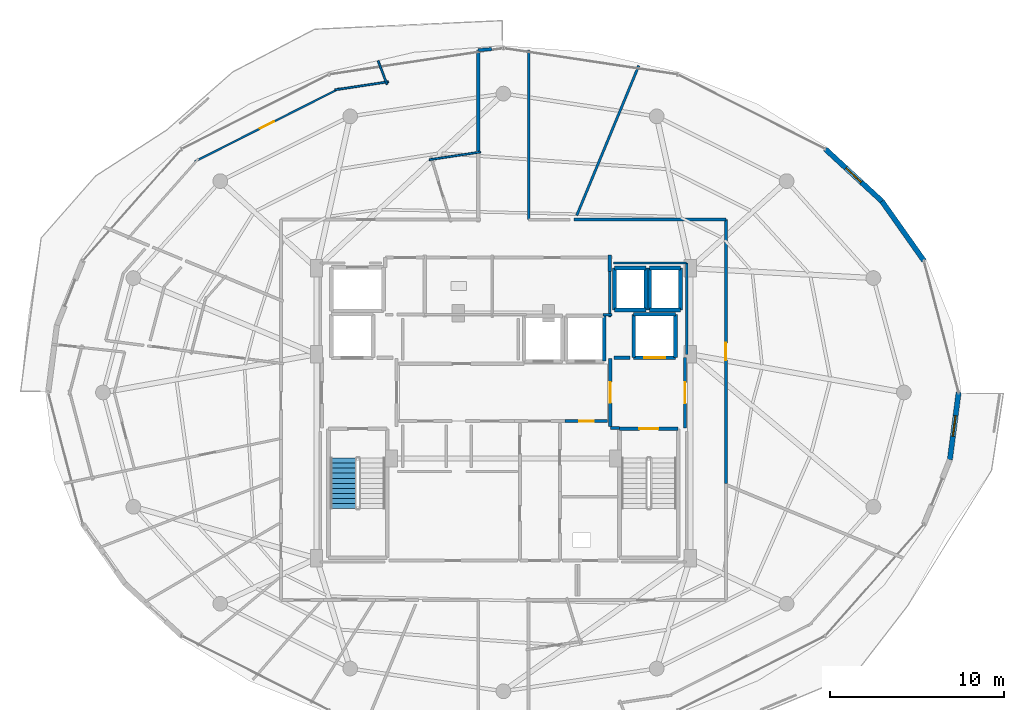
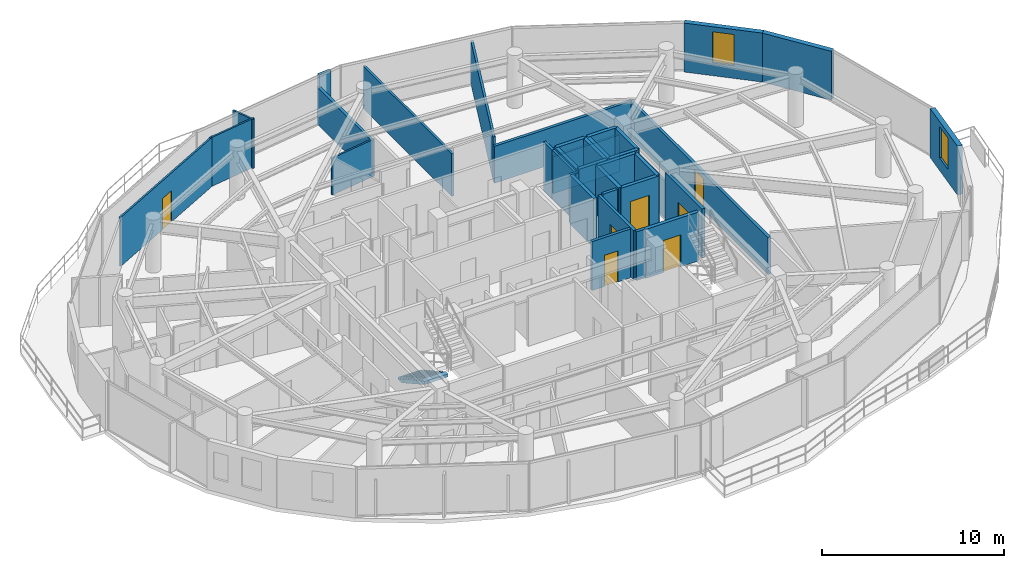
# One storey, part 25 of 30: 37 walls, 7 doors, 2 windows, 1 stair flight, 9 openings, 1 element without a shape of its own.
"""IFC4 building model written with IfcOpenShell, lengths in metres."""

from ifc_helpers import new_model, si_unit, direction, frame, frame_2d, origin, place, context, subcontext, project, spatial, polyline, rectangle, outline, extrude, material, layer, layer_set, type_object, element, fill, aggregate, save


model = new_model("IFC4")

# Units and contexts
model_context = context("Model", 3, precision=1e-05, world=origin(), true_north=direction((0.0, 1.0)))
body_context = subcontext(model_context, "Body", "Model", "MODEL_VIEW")
ifc_project = project(units=[si_unit("LENGTHUNIT", "METRE"), si_unit("AREAUNIT", "SQUARE_METRE"), si_unit("VOLUMEUNIT", "CUBIC_METRE"), si_unit("PLANEANGLEUNIT", "RADIAN"), si_unit("MASSUNIT", "GRAM", prefix="KILO")], contexts=[model_context])

# Site, building, storey
site_placement = place(None, origin())
site = spatial("IfcSite", under=ifc_project, at=site_placement, CompositionType="ELEMENT")
building_placement = place(site_placement, origin())
building = spatial("IfcBuilding", under=site, at=building_placement, Name="Vorneva Point Tower", CompositionType="ELEMENT")
storey_placement = place(building_placement, frame((0.0, 0.0, 241.35009765625)))
storey = spatial("IfcBuildingStorey", under=building, at=storey_placement, Name="L65", CompositionType="ELEMENT", Elevation=241.35009765625)

# Wall, opening, door
ifc_material_1 = material(Name="Concrete B60 (C50/60)", Category="concrete")
ifc_layer_1 = layer(ifc_material_1, 0.35009765625)
ifc_layer_set_1 = layer_set([ifc_layer_1], Name="Concrete B60 (C50/60)")
wall_type_1 = type_object("IfcWallType", Name="WL-CORE-350", PredefinedType="SHEAR", material=ifc_layer_set_1)
wall_1_placement = place(storey_placement, frame((45.5, 28.0, 0.0), z_axis=(0.0, 0.0, 1.0), x_axis=(1.0, 0.0, 0.0)))
wall_1 = element("IfcWall", 1, at=wall_1_placement, inside=storey, type_object=wall_type_1, Name="L65 Lift FFL2 Shaft Wall -Y", PredefinedType="SHEAR", context=body_context, shape_type="SweptSolid", body=[
    extrude(rectangle(XDim=2.39990234375, YDim=0.219970703125, at=frame_2d((1.199951171875, 0.0))), origin(), (0.0, 0.0, 1.0), 3.289794921875),
])
opening_1_placement = place(wall_1_placement, frame((0.60009765625, 0.0, 0.0)))
opening_1 = element("IfcOpeningElement", 2, at=opening_1_placement, cuts=wall_1, Name="Opening LD-02", PredefinedType="OPENING", context=body_context, shape_type="SweptSolid", body=[
    extrude(rectangle(XDim=1.199951171875, YDim=2.199951171875, at=frame_2d((0.60009765625, 1.10009765625))), frame((0.0, 0.125, 0.0), z_axis=(0.0, -1.0, 0.0), x_axis=(1.0, 0.0, 0.0)), (0.0, 0.0, 1.0), 0.249755859375),
])
ifc_material_2 = material(Name="Brushed stainless steel S304", Category="steel")
door_type_1 = type_object("IfcDoorType", Name="LD-FIRE-1200", OperationType="SLIDING_TO_LEFT", PredefinedType="DOOR", material=ifc_material_2)
door_1_placement = place(opening_1_placement, origin())
door_1 = element("IfcDoor", 3, at=door_1_placement, inside=storey, type_object=door_type_1, Name="L65 Lift FFL2 Sliding Landing Door", OperationType="SLIDING_TO_LEFT", OverallHeight=2.199951171875, OverallWidth=1.199951171875, PredefinedType="DOOR", context=body_context, shape_type="SweptSolid", body=[
    extrude(rectangle(XDim=1.199951171875, YDim=2.199951171875, at=frame_2d((0.60009765625, 1.10009765625))), frame((0.0, 0.02490234375, 0.0), z_axis=(0.0, -1.0, 0.0), x_axis=(1.0, 0.0, 0.0)), (0.0, 0.0, 1.0), 0.050048828125),
])
fill(opening_1, door_1)

# Walls
wall_2_placement = place(storey_placement, frame((47.89990234375, 28.0, 0.0), z_axis=(0.0, 0.0, 1.0), x_axis=(0.0, 1.0, 0.0)))
element("IfcWall", 4, at=wall_2_placement, inside=storey, type_object=wall_type_1, Name="L65 Lift FFL2 Shaft Wall +X", PredefinedType="SHEAR", context=body_context, shape_type="SweptSolid", body=[
    extrude(rectangle(XDim=2.5, YDim=0.219970703125, at=frame_2d((1.25, 0.0))), origin(), (0.0, 0.0, 1.0), 3.289794921875),
])
wall_3_placement = place(storey_placement, frame((47.89990234375, 30.5, 0.0), z_axis=(0.0, 0.0, 1.0), x_axis=(-1.0, 0.0, 0.0)))
element("IfcWall", 5, at=wall_3_placement, inside=storey, type_object=wall_type_1, Name="L65 Lift FFL2 Shaft Wall +Y", PredefinedType="SHEAR", context=body_context, shape_type="SweptSolid", body=[
    extrude(rectangle(XDim=2.39990234375, YDim=0.219970703125, at=frame_2d((1.199951171875, 0.0))), origin(), (0.0, 0.0, 1.0), 3.289794921875),
])
wall_4_placement = place(storey_placement, frame((45.5, 30.5, 0.0), z_axis=(0.0, 0.0, 1.0), x_axis=(0.0, -1.0, 0.0)))
element("IfcWall", 6, at=wall_4_placement, inside=storey, type_object=wall_type_1, Name="L65 Lift FFL2 Shaft Wall -X", PredefinedType="SHEAR", context=body_context, shape_type="SweptSolid", body=[
    extrude(rectangle(XDim=2.5, YDim=0.219970703125, at=frame_2d((1.25, 0.0))), origin(), (0.0, 0.0, 1.0), 3.289794921875),
])
ifc_material_3 = material(Name="Precast concrete B50 (C40/50)", Category="concrete")
ifc_layer_2 = layer(ifc_material_3, 0.300048828125)
ifc_layer_set_2 = layer_set([ifc_layer_2], Name="Precast concrete B50 (C40/50)")
wall_type_2 = type_object("IfcWallType", Name="WL-EXT-300", PredefinedType="STANDARD", material=ifc_layer_set_2)
wall_5_placement = place(storey_placement, frame((62.20556640625, 33.5810546875, 0.0), z_axis=(0.0, 0.0, 1.0), x_axis=(-0.577261247247, 0.816559521668, 0.0)))
element("IfcWall", 7, at=wall_5_placement, inside=storey, type_object=wall_type_2, Name="L65 Pale-Metal Facade Spandrel Wall 02.1", PredefinedType="STANDARD", context=body_context, shape_type="SweptSolid", body=[
    extrude(rectangle(XDim=4.194091796875, YDim=0.300048828125, at=frame_2d((2.09716796875, 0.0))), origin(), (0.0, 0.0, 1.0), 3.289794921875),
])

# Wall, opening, window
wall_6_placement = place(storey_placement, frame((59.784423828125, 37.005859375, 0.0), z_axis=(0.0, 0.0, 1.0), x_axis=(-0.735445373611, 0.677584018727, 0.0)))
wall_6 = element("IfcWall", 8, at=wall_6_placement, inside=storey, type_object=wall_type_2, Name="L65 Pale-Metal Facade Spandrel Wall 02.2", PredefinedType="STANDARD", context=body_context, shape_type="SweptSolid", body=[
    extrude(rectangle(XDim=4.430419921875, YDim=0.300048828125, at=frame_2d((2.21533203125, 0.0))), origin(), (0.0, 0.0, 1.0), 3.289794921875),
])
opening_2_placement = place(wall_6_placement, frame((1.615234375, 0.0, 0.85009765625)))
opening_2 = element("IfcOpeningElement", 9, at=opening_2_placement, cuts=wall_6, Name="Opening W-04", PredefinedType="OPENING", context=body_context, shape_type="SweptSolid", body=[
    extrude(rectangle(XDim=1.199951171875, YDim=2.10009765625, at=frame_2d((0.60009765625, 1.050048828125))), frame((0.0, 0.1650390625, 0.0), z_axis=(0.0, -1.0, 0.0), x_axis=(1.0, 0.0, 0.0)), (0.0, 0.0, 1.0), 0.329833984375),
])
ifc_material_4 = material(Name="Double low-e laminated glass IGU", Category="glass")
window_type = type_object("IfcWindowType", Name="WN-RES-1200", PartitioningType="SINGLE_PANEL", PredefinedType="WINDOW", material=ifc_material_4)
window_1_placement = place(opening_2_placement, origin())
window_1 = element("IfcWindow", 10, at=window_1_placement, inside=storey, type_object=window_type, Name="L65 Facade Window 02", OverallHeight=2.10009765625, OverallWidth=1.199951171875, PartitioningType="SINGLE_PANEL", PredefinedType="WINDOW", context=body_context, shape_type="SweptSolid", body=[
    extrude(rectangle(XDim=1.199951171875, YDim=2.10009765625, at=frame_2d((0.60009765625, 1.050048828125))), frame((0.0, 0.030029296875, 0.0), z_axis=(0.0, -1.0, 0.0), x_axis=(1.0, 0.0, 0.0)), (0.0, 0.0, 1.0), 0.06005859375),
])
fill(opening_2, window_1)

wall_7_placement = place(storey_placement, frame((63.696533203125, 22.13525390625, 0.0), z_axis=(0.0, 0.0, 1.0), x_axis=(0.129167789917, 0.991622751881, 0.0)))
wall_7 = element("IfcWall", 11, at=wall_7_placement, inside=storey, type_object=wall_type_2, Name="L65 Pale-Metal Facade Spandrel Wall 16.2", PredefinedType="STANDARD", context=body_context, shape_type="SweptSolid", body=[
    extrude(rectangle(XDim=3.8974609375, YDim=0.300048828125, at=frame_2d((1.94873046875, 0.0))), origin(), (0.0, 0.0, 1.0), 3.289794921875),
])
opening_3_placement = place(wall_7_placement, frame((1.3486328125, 0.0, 0.85009765625)))
opening_3 = element("IfcOpeningElement", 12, at=opening_3_placement, cuts=wall_7, Name="Opening W-04", PredefinedType="OPENING", context=body_context, shape_type="SweptSolid", body=[
    extrude(rectangle(XDim=1.199951171875, YDim=2.10009765625, at=frame_2d((0.60009765625, 1.050048828125))), frame((0.0, 0.1650390625, 0.0), z_axis=(0.0, -1.0, 0.0), x_axis=(1.0, 0.0, 0.0)), (0.0, 0.0, 1.0), 0.329833984375),
])
window_2_placement = place(opening_3_placement, origin())
window_2 = element("IfcWindow", 13, at=window_2_placement, inside=storey, type_object=window_type, Name="L65 Facade Window 16", OverallHeight=2.10009765625, OverallWidth=1.199951171875, PartitioningType="SINGLE_PANEL", PredefinedType="WINDOW", context=body_context, shape_type="SweptSolid", body=[
    extrude(rectangle(XDim=1.199951171875, YDim=2.10009765625, at=frame_2d((0.60009765625, 1.050048828125))), frame((0.0, 0.030029296875, 0.0), z_axis=(0.0, -1.0, 0.0), x_axis=(1.0, 0.0, 0.0)), (0.0, 0.0, 1.0), 0.06005859375),
])
fill(opening_3, window_2)

# Walls
ifc_material_5 = material(Name="Fire-rated acoustic gypsum stud partition", Category="gypsum")
ifc_layer_3 = layer(ifc_material_5, 0.110107421875)
ifc_layer_set_3 = layer_set([ifc_layer_3], Name="Fire-rated acoustic gypsum stud partition")
wall_type_3 = type_object("IfcWallType", Name="WL-PART-110", PredefinedType="PARTITIONING", material=ifc_layer_set_3)
wall_8_placement = place(storey_placement, frame((33.734619140625, 39.394287109375, 0.0), z_axis=(0.0, 0.0, 1.0), x_axis=(0.988862493006, 0.148832019156, 0.0)))
element("IfcWall", 14, at=wall_8_placement, inside=storey, type_object=wall_type_3, Name="L65 Interior Partition 055", PredefinedType="PARTITIONING", context=body_context, shape_type="SweptSolid", body=[
    extrude(rectangle(XDim=2.987060546875, YDim=0.110107421875, at=frame_2d((1.49365234375, 0.0))), origin(), (0.0, 0.0, 1.0), 2.48193359375),
])
wall_9_placement = place(storey_placement, frame((31.389404296875, 43.8818359375, 0.0), z_axis=(0.0, 0.0, 1.0), x_axis=(-0.988858596585, -0.148857905265, 0.0)))
element("IfcWall", 15, at=wall_9_placement, inside=storey, type_object=wall_type_3, Name="L65 Interior Partition 056", PredefinedType="PARTITIONING", context=body_context, shape_type="SweptSolid", body=[
    extrude(rectangle(XDim=3.114501953125, YDim=0.110107421875, at=frame_2d((1.55712890625, 0.0))), origin(), (0.0, 0.0, 1.0), 3.289794921875),
])

# Wall, opening, door
wall_10_placement = place(storey_placement, frame((28.572998046875, 43.502197265625, 0.0), z_axis=(0.0, 0.0, 1.0), x_axis=(-0.892502876412, -0.451041700507, 0.0)))
wall_10 = element("IfcWall", 16, at=wall_10_placement, inside=storey, type_object=wall_type_3, Name="L65 Interior Partition 057", PredefinedType="PARTITIONING", context=body_context, shape_type="SweptSolid", body=[
    extrude(rectangle(XDim=9.352294921875, YDim=0.110107421875, at=frame_2d((4.67626953125, 0.0))), origin(), (0.0, 0.0, 1.0), 3.289794921875),
])
opening_4_placement = place(wall_10_placement, frame((4.226318359375, 0.0, 0.0)))
opening_4 = element("IfcOpeningElement", 17, at=opening_4_placement, cuts=wall_10, Name="Opening ID-01", PredefinedType="OPENING", context=body_context, shape_type="SweptSolid", body=[
    extrude(rectangle(XDim=0.89990234375, YDim=2.10009765625, at=frame_2d((0.449951171875, 1.050048828125))), frame((0.0, 0.06982421875, 0.0), z_axis=(0.0, -1.0, 0.0), x_axis=(1.0, 0.0, 0.0)), (0.0, 0.0, 1.0), 0.139892578125),
])
ifc_material_6 = material(Name="Engineered oak fire-rated door leaf", Category="wood")
door_type_2 = type_object("IfcDoorType", Name="DR-ROOM-900", OperationType="NOTDEFINED", PredefinedType="DOOR", material=ifc_material_6)
door_2_placement = place(opening_4_placement, origin())
door_2 = element("IfcDoor", 18, at=door_2_placement, inside=storey, type_object=door_type_2, Name="L65 Door Studio Apartment L65-01 / Kitchen L65-01", OperationType="SINGLE_SWING_RIGHT", OverallHeight=2.10009765625, OverallWidth=0.89990234375, PredefinedType="DOOR", context=body_context, shape_type="SweptSolid", body=[
    extrude(rectangle(XDim=0.89990234375, YDim=2.10009765625, at=frame_2d((0.449951171875, 1.050048828125))), frame((0.0, 0.02490234375, 0.0), z_axis=(0.0, -1.0, 0.0), x_axis=(1.0, 0.0, 0.0)), (0.0, 0.0, 1.0), 0.050048828125),
])
fill(opening_4, door_2)

# Walls
wall_11_placement = place(storey_placement, frame((30.78662109375, 45.0888671875, 0.0), z_axis=(0.0, 0.0, 1.0), x_axis=(0.353737146492, -0.935344872863, 0.0)))
element("IfcWall", 19, at=wall_11_placement, inside=storey, type_object=wall_type_3, Name="L65 Interior Partition 059", PredefinedType="PARTITIONING", context=body_context, shape_type="SweptSolid", body=[
    extrude(rectangle(XDim=1.452880859375, YDim=0.110107421875, at=frame_2d((0.7265625, 0.0))), origin(), (0.0, 0.0, 1.0), 3.289794921875),
])
ifc_layer_4 = layer(ifc_material_5, 0.139892578125)
ifc_layer_set_4 = layer_set([ifc_layer_4], Name="Fire-rated acoustic gypsum stud partition")
wall_type_4 = type_object("IfcWallType", Name="WL-PART-140", PredefinedType="PARTITIONING", material=ifc_layer_set_4)
wall_12_placement = place(storey_placement, frame((43.735107421875, 30.47998046875, 0.0), z_axis=(0.0, 0.0, 1.0), x_axis=(1.0, 0.0, 0.0)))
element("IfcWall", 20, at=wall_12_placement, inside=storey, type_object=wall_type_4, Name="L65 Interior Closure Partition 094", PredefinedType="PARTITIONING", context=body_context, shape_type="SweptSolid", body=[
    extrude(rectangle(XDim=0.52490234375, YDim=0.139892578125, at=frame_2d((0.262451171875, 0.0))), origin(), (0.0, 0.0, 1.0), 3.289794921875),
])
wall_13_placement = place(storey_placement, frame((44.1201171875, 30.340087890625, 0.0), z_axis=(0.0, 0.0, 1.0), x_axis=(0.0, 1.0, 0.0)))
element("IfcWall", 21, at=wall_13_placement, inside=storey, type_object=wall_type_4, Name="L65 Interior Closure Partition 095", PredefinedType="PARTITIONING", context=body_context, shape_type="SweptSolid", body=[
    extrude(rectangle(XDim=2.659912109375, YDim=0.139892578125, at=frame_2d((1.330078125, 0.0))), origin(), (0.0, 0.0, 1.0), 3.289794921875),
])
wall_14_placement = place(storey_placement, frame((39.449951171875, 35.949951171875, 0.0), z_axis=(0.0, 0.0, 1.0), x_axis=(0.0, 1.0, 0.0)))
element("IfcWall", 22, at=wall_14_placement, inside=storey, type_object=wall_type_4, Name="L65 Interior Closure Partition 104", PredefinedType="PARTITIONING", context=body_context, shape_type="SweptSolid", body=[
    extrude(rectangle(XDim=9.7509765625, YDim=0.139892578125, at=frame_2d((4.87548828125, 0.0))), origin(), (0.0, 0.0, 1.0), 2.8740234375),
])
wall_15_placement = place(storey_placement, frame((48.550048828125, 28.196044921875, 0.0), z_axis=(0.0, 0.0, 1.0), x_axis=(0.0, 1.0, 0.0)))
element("IfcWall", 23, at=wall_15_placement, inside=storey, type_object=wall_type_4, Name="L65 Interior Closure Partition 108", PredefinedType="PARTITIONING", context=body_context, shape_type="SweptSolid", body=[
    extrude(rectangle(XDim=5.25390625, YDim=0.139892578125, at=frame_2d((2.626953125, 0.0))), origin(), (0.0, 0.0, 1.0), 2.48193359375),
])
wall_16_placement = place(storey_placement, frame((48.550048828125, 33.449951171875, 0.0), z_axis=(0.0, 0.0, 1.0), x_axis=(-1.0, 0.0, 0.0)))
element("IfcWall", 24, at=wall_16_placement, inside=storey, type_object=wall_type_4, Name="L65 Interior Closure Partition 109", PredefinedType="PARTITIONING", context=body_context, shape_type="SweptSolid", body=[
    extrude(rectangle(XDim=4.2099609375, YDim=0.139892578125, at=frame_2d((2.10498046875, 0.0))), origin(), (0.0, 0.0, 1.0), 2.48193359375),
])
wall_17_placement = place(storey_placement, frame((45.79296875, 44.81298828125, 0.0), z_axis=(0.0, 0.0, 1.0), x_axis=(-0.382742241568, -0.923855170749, 0.0)))
element("IfcWall", 25, at=wall_17_placement, inside=storey, type_object=wall_type_4, Name="L65 Interior Closure Partition 123", PredefinedType="PARTITIONING", context=body_context, shape_type="SweptSolid", body=[
    extrude(rectangle(XDim=9.332763671875, YDim=0.139892578125, at=frame_2d((4.66650390625, 0.0))), origin(), (0.0, 0.0, 1.0), 2.8740234375),
])

# Wall, opening, door
ifc_material_7 = material(Name="Autoclaved aerated concrete blockwork", Category="masonry")
ifc_layer_5 = layer(ifc_material_7, 0.179931640625)
ifc_layer_set_5 = layer_set([ifc_layer_5], Name="Autoclaved aerated concrete blockwork")
wall_type_5 = type_object("IfcWallType", Name="WL-PART-180", PredefinedType="PARTITIONING", material=ifc_layer_set_5)
wall_18_placement = place(storey_placement, frame((44.14990234375, 27.955078125, 0.0), z_axis=(0.0, 0.0, 1.0), x_axis=(0.0, -1.0, 0.0)))
wall_18 = element("IfcWall", 26, at=wall_18_placement, inside=storey, type_object=wall_type_5, Name="L65 Interior Partition 003", PredefinedType="PARTITIONING", context=body_context, shape_type="SweptSolid", body=[
    extrude(rectangle(XDim=3.91015625, YDim=0.179931640625, at=frame_2d((1.955078125, 0.0))), origin(), (0.0, 0.0, 1.0), 3.289794921875),
])
opening_5_placement = place(wall_18_placement, frame((1.35498046875, 0.0, 0.0)))
opening_5 = element("IfcOpeningElement", 27, at=opening_5_placement, cuts=wall_18, Name="Opening FD-02", PredefinedType="OPENING", context=body_context, shape_type="SweptSolid", body=[
    extrude(rectangle(XDim=1.199951171875, YDim=2.14990234375, at=frame_2d((0.60009765625, 1.074951171875))), frame((0.0, 0.10498046875, 0.0), z_axis=(0.0, -1.0, 0.0), x_axis=(1.0, 0.0, 0.0)), (0.0, 0.0, 1.0), 0.209716796875),
])
ifc_material_8 = material(Name="Fire-rated powder-coated steel", Category="steel")
door_type_3 = type_object("IfcDoorType", Name="DR-FFL-1200", OperationType="NOTDEFINED", PredefinedType="DOOR", material=ifc_material_8)
door_3_placement = place(opening_5_placement, origin())
door_3 = element("IfcDoor", 28, at=door_3_placement, inside=storey, type_object=door_type_3, Name="L65 Door East Firefighting Lobby / Central Lift Lobby", OperationType="SINGLE_SWING_RIGHT", OverallHeight=2.14990234375, OverallWidth=1.199951171875, PredefinedType="DOOR", context=body_context, shape_type="SweptSolid", body=[
    extrude(rectangle(XDim=1.199951171875, YDim=2.14990234375, at=frame_2d((0.60009765625, 1.074951171875))), frame((0.0, 0.02490234375, 0.0), z_axis=(0.0, -1.0, 0.0), x_axis=(1.0, 0.0, 0.0)), (0.0, 0.0, 1.0), 0.050048828125),
])
fill(opening_5, door_3)

# Wall
wall_19_placement = place(storey_placement, frame((44.14990234375, 23.949951171875, 0.0), z_axis=(0.0, 0.0, 1.0), x_axis=(1.0, 0.0, 0.0)))
element("IfcWall", 29, at=wall_19_placement, inside=storey, type_object=wall_type_5, Name="L65 Interior Partition 004", PredefinedType="PARTITIONING", context=body_context, shape_type="SweptSolid", body=[
    extrude(rectangle(XDim=0.5400390625, YDim=0.179931640625, at=frame_2d((0.27001953125, 0.0))), origin(), (0.0, 0.0, 1.0), 3.289794921875),
])

# Wall, opening, door
wall_20_placement = place(storey_placement, frame((48.449951171875, 23.949951171875, 0.0), z_axis=(0.0, 0.0, 1.0), x_axis=(0.0, 1.0, 0.0)))
wall_20 = element("IfcWall", 30, at=wall_20_placement, inside=storey, type_object=wall_type_5, Name="L65 Interior Partition 005", PredefinedType="PARTITIONING", context=body_context, shape_type="SweptSolid", body=[
    extrude(rectangle(XDim=4.050048828125, YDim=0.179931640625, at=frame_2d((2.02490234375, 0.0))), origin(), (0.0, 0.0, 1.0), 3.289794921875),
])
opening_6_placement = place(wall_20_placement, frame((1.425048828125, 0.0, 0.0)))
opening_6 = element("IfcOpeningElement", 31, at=opening_6_placement, cuts=wall_20, Name="Opening FD-02", PredefinedType="OPENING", context=body_context, shape_type="SweptSolid", body=[
    extrude(rectangle(XDim=1.199951171875, YDim=2.14990234375, at=frame_2d((0.60009765625, 1.074951171875))), frame((0.0, 0.10498046875, 0.0), z_axis=(0.0, -1.0, 0.0), x_axis=(1.0, 0.0, 0.0)), (0.0, 0.0, 1.0), 0.209716796875),
])
door_4_placement = place(opening_6_placement, origin())
door_4 = element("IfcDoor", 32, at=door_4_placement, inside=storey, type_object=door_type_3, Name="L65 Door East Firefighting Lobby / L65 Circulation Corridor", OperationType="SINGLE_SWING_LEFT", OverallHeight=2.14990234375, OverallWidth=1.199951171875, PredefinedType="DOOR", context=body_context, shape_type="SweptSolid", body=[
    extrude(rectangle(XDim=1.199951171875, YDim=2.14990234375, at=frame_2d((0.60009765625, 1.074951171875))), frame((0.0, 0.02490234375, 0.0), z_axis=(0.0, -1.0, 0.0), x_axis=(1.0, 0.0, 0.0)), (0.0, 0.0, 1.0), 0.050048828125),
])
fill(opening_6, door_4)

wall_21_placement = place(storey_placement, frame((41.554931640625, 24.35009765625, 0.0), z_axis=(0.0, 0.0, 1.0), x_axis=(1.0, 0.0, 0.0)))
wall_21 = element("IfcWall", 33, at=wall_21_placement, inside=storey, type_object=wall_type_5, Name="L65 Interior Partition 011", PredefinedType="PARTITIONING", context=body_context, shape_type="SweptSolid", body=[
    extrude(rectangle(XDim=2.445068359375, YDim=0.179931640625, at=frame_2d((1.22265625, 0.0))), origin(), (0.0, 0.0, 1.0), 3.289794921875),
])
opening_7_placement = place(wall_21_placement, frame((0.797607421875, 0.0, 0.0)))
opening_7 = element("IfcOpeningElement", 34, at=opening_7_placement, cuts=wall_21, Name="Opening ID-02", PredefinedType="OPENING", context=body_context, shape_type="SweptSolid", body=[
    extrude(rectangle(XDim=0.85009765625, YDim=2.10009765625, at=frame_2d((0.425048828125, 1.050048828125))), frame((0.0, 0.10498046875, 0.0), z_axis=(0.0, -1.0, 0.0), x_axis=(1.0, 0.0, 0.0)), (0.0, 0.0, 1.0), 0.209716796875),
])
door_type_4 = type_object("IfcDoorType", Name="DR-BATH-850", OperationType="NOTDEFINED", PredefinedType="DOOR", material=ifc_material_6)
door_5_placement = place(opening_7_placement, origin())
door_5 = element("IfcDoor", 35, at=door_5_placement, inside=storey, type_object=door_type_4, Name="L65 Door Central Lift Lobby / Cleaners Store", OperationType="SINGLE_SWING_RIGHT", OverallHeight=2.10009765625, OverallWidth=0.85009765625, PredefinedType="DOOR", context=body_context, shape_type="SweptSolid", body=[
    extrude(rectangle(XDim=0.85009765625, YDim=2.10009765625, at=frame_2d((0.425048828125, 1.050048828125))), frame((0.0, 0.02490234375, 0.0), z_axis=(0.0, -1.0, 0.0), x_axis=(1.0, 0.0, 0.0)), (0.0, 0.0, 1.0), 0.050048828125),
])
fill(opening_7, door_5)

# Walls
wall_22_placement = place(storey_placement, frame((44.1201171875, 32.969970703125, 0.0), z_axis=(0.0, 0.0, 1.0), x_axis=(0.0, 1.0, 0.0)))
element("IfcWall", 36, at=wall_22_placement, inside=storey, type_object=wall_type_5, Name="L65 Interior Partition 027", PredefinedType="PARTITIONING", context=body_context, shape_type="SweptSolid", body=[
    extrude(rectangle(XDim=0.929931640625, YDim=0.179931640625, at=frame_2d((0.46484375, 0.0))), origin(), (0.0, 0.0, 1.0), 3.289794921875),
])
wall_23_placement = place(storey_placement, frame((37.3291015625, 45.760009765625, 0.0), z_axis=(0.0, 0.0, 1.0), x_axis=(-0.997136622012, -0.0756211415, 0.0)))
element("IfcWall", 37, at=wall_23_placement, inside=storey, type_object=wall_type_5, Name="L65 Interior Partition 031", PredefinedType="PARTITIONING", context=body_context, shape_type="SweptSolid", body=[
    extrude(rectangle(XDim=0.78125, YDim=0.179931640625, at=frame_2d((0.390625, 0.0))), origin(), (0.0, 0.0, 1.0), 3.289794921875),
])
wall_24_placement = place(storey_placement, frame((36.550048828125, 45.700927734375, 0.0), z_axis=(0.0, 0.0, 1.0), x_axis=(0.0, -1.0, 0.0)))
element("IfcWall", 38, at=wall_24_placement, inside=storey, type_object=wall_type_5, Name="L65 Interior Partition 032", PredefinedType="PARTITIONING", context=body_context, shape_type="SweptSolid", body=[
    extrude(rectangle(XDim=5.94384765625, YDim=0.179931640625, at=frame_2d((2.971923828125, 0.0))), origin(), (0.0, 0.0, 1.0), 2.48193359375),
])

# Wall, opening, door
wall_25_placement = place(storey_placement, frame((50.800048828125, 20.758056640625, 0.0), z_axis=(0.0, 0.0, 1.0), x_axis=(0.0, 1.0, 0.0)))
wall_25 = element("IfcWall", 39, at=wall_25_placement, inside=storey, type_object=wall_type_5, Name="L65 Interior Partition 052", PredefinedType="PARTITIONING", context=body_context, shape_type="SweptSolid", body=[
    extrude(rectangle(XDim=15.19189453125, YDim=0.179931640625, at=frame_2d((7.595947265625, 0.0))), origin(), (0.0, 0.0, 1.0), 2.48193359375),
])
opening_8_placement = place(wall_25_placement, frame((7.095947265625, 0.0, 0.0)))
opening_8 = element("IfcOpeningElement", 40, at=opening_8_placement, cuts=wall_25, Name="Opening UD-01", PredefinedType="OPENING", context=body_context, shape_type="SweptSolid", body=[
    extrude(rectangle(XDim=1.0, YDim=2.14990234375, at=frame_2d((0.5, 1.074951171875))), frame((0.0, 0.10498046875, 0.0), z_axis=(0.0, -1.0, 0.0), x_axis=(1.0, 0.0, 0.0)), (0.0, 0.0, 1.0), 0.209716796875),
])
door_type_5 = type_object("IfcDoorType", Name="DR-UNIT-1000", OperationType="NOTDEFINED", PredefinedType="DOOR", material=ifc_material_6)
door_6_placement = place(opening_8_placement, origin())
door_6 = element("IfcDoor", 41, at=door_6_placement, inside=storey, type_object=door_type_5, Name="L65 Door L65 Circulation Corridor / Residents Sky Lounge L65-04", OperationType="SINGLE_SWING_RIGHT", OverallHeight=2.14990234375, OverallWidth=1.0, PredefinedType="DOOR", context=body_context, shape_type="SweptSolid", body=[
    extrude(rectangle(XDim=1.0, YDim=2.14990234375, at=frame_2d((0.5, 1.074951171875))), frame((0.0, 0.02490234375, 0.0), z_axis=(0.0, -1.0, 0.0), x_axis=(1.0, 0.0, 0.0)), (0.0, 0.0, 1.0), 0.050048828125),
])
fill(opening_8, door_6)

# Walls
wall_26_placement = place(storey_placement, frame((50.800048828125, 35.949951171875, 0.0), z_axis=(0.0, 0.0, 1.0), x_axis=(-1.0, 0.0, 0.0)))
element("IfcWall", 42, at=wall_26_placement, inside=storey, type_object=wall_type_5, Name="L65 Interior Partition 053", PredefinedType="PARTITIONING", context=body_context, shape_type="SweptSolid", body=[
    extrude(rectangle(XDim=8.739013671875, YDim=0.179931640625, at=frame_2d((4.36962890625, 0.0))), origin(), (0.0, 0.0, 1.0), 2.48193359375),
])
wall_27_placement = place(storey_placement, frame((45.280029296875, 28.0, 0.0), z_axis=(0.0, 0.0, 1.0), x_axis=(-1.0, 0.0, 0.0)))
element("IfcWall", 43, at=wall_27_placement, inside=storey, type_object=wall_type_5, Name="L65 Interior Closure Partition 092", PredefinedType="PARTITIONING", context=body_context, shape_type="SweptSolid", body=[
    extrude(rectangle(XDim=0.9150390625, YDim=0.179931640625, at=frame_2d((0.45751953125, 0.0))), origin(), (0.0, 0.0, 1.0), 3.289794921875),
])

# Wall, opening, door
ifc_material_9 = material(Name="Concrete B50 (C40/50)", Category="concrete")
ifc_layer_6 = layer(ifc_material_9, 0.219970703125)
ifc_layer_set_6 = layer_set([ifc_layer_6], Name="Concrete B50 (C40/50)")
wall_type_6 = type_object("IfcWallType", Name="WL-SHFT-220", PredefinedType="SOLIDWALL", material=ifc_layer_set_6)
wall_28_placement = place(storey_placement, frame((44.68994140625, 23.909912109375, 0.0), z_axis=(0.0, 0.0, 1.0), x_axis=(1.0, 0.0, 0.0)))
wall_28 = element("IfcWall", 44, at=wall_28_placement, inside=storey, type_object=wall_type_6, Name="L65 Exit Stair ST2 Shaft Wall near", PredefinedType="SOLIDWALL", context=body_context, shape_type="SweptSolid", body=[
    extrude(rectangle(XDim=3.3701171875, YDim=0.219970703125, at=frame_2d((1.68505859375, 0.0))), origin(), (0.0, 0.0, 1.0), 3.289794921875),
])
opening_9_placement = place(wall_28_placement, frame((1.135009765625, 0.0, 0.0)))
opening_9 = element("IfcOpeningElement", 45, at=opening_9_placement, cuts=wall_28, Name="Opening FD-01", PredefinedType="OPENING", context=body_context, shape_type="SweptSolid", body=[
    extrude(rectangle(XDim=1.10009765625, YDim=2.14990234375, at=frame_2d((0.550048828125, 1.074951171875))), frame((0.0, 0.125, 0.0), z_axis=(0.0, -1.0, 0.0), x_axis=(1.0, 0.0, 0.0)), (0.0, 0.0, 1.0), 0.249755859375),
])
door_type_6 = type_object("IfcDoorType", Name="DR-STAIR-1100", OperationType="NOTDEFINED", PredefinedType="DOOR", material=ifc_material_8)
door_7_placement = place(opening_9_placement, origin())
door_7 = element("IfcDoor", 46, at=door_7_placement, inside=storey, type_object=door_type_6, Name="L65 Exit Stair ST2 Fire Door", OperationType="SINGLE_SWING_RIGHT", OverallHeight=2.14990234375, OverallWidth=1.10009765625, PredefinedType="DOOR", context=body_context, shape_type="SweptSolid", body=[
    extrude(rectangle(XDim=1.10009765625, YDim=2.14990234375, at=frame_2d((0.550048828125, 1.074951171875))), frame((0.0, 0.02490234375, 0.0), z_axis=(0.0, -1.0, 0.0), x_axis=(1.0, 0.0, 0.0)), (0.0, 0.0, 1.0), 0.050048828125),
])
fill(opening_9, door_7)

# Walls
wall_29_placement = place(storey_placement, frame((43.800048828125, 27.800048828125, 0.0), z_axis=(0.0, 0.0, 1.0), x_axis=(0.0, 1.0, 0.0)))
element("IfcWall", 47, at=wall_29_placement, inside=storey, type_object=wall_type_6, Name="L65 Lift PL8 Shaft Wall +X", PredefinedType="SOLIDWALL", context=body_context, shape_type="SweptSolid", body=[
    extrude(rectangle(XDim=2.599853515625, YDim=0.219970703125, at=frame_2d((1.2998046875, 0.0))), origin(), (0.0, 0.0, 1.0), 3.289794921875),
])
wall_30_placement = place(storey_placement, frame((44.39990234375, 30.739990234375, 0.0), z_axis=(0.0, 0.0, 1.0), x_axis=(1.0, 0.0, 0.0)))
element("IfcWall", 48, at=wall_30_placement, inside=storey, type_object=wall_type_6, Name="L65 Lift EX1 Shaft Wall -Y", PredefinedType="SOLIDWALL", context=body_context, shape_type="SweptSolid", body=[
    extrude(rectangle(XDim=1.800048828125, YDim=0.219970703125, at=frame_2d((0.89990234375, 0.0))), origin(), (0.0, 0.0, 1.0), 3.289794921875),
])
wall_31_placement = place(storey_placement, frame((46.199951171875, 30.739990234375, 0.0), z_axis=(0.0, 0.0, 1.0), x_axis=(0.0, 1.0, 0.0)))
element("IfcWall", 49, at=wall_31_placement, inside=storey, type_object=wall_type_6, Name="L65 Lift EX1 Shaft Wall +X", PredefinedType="SOLIDWALL", context=body_context, shape_type="SweptSolid", body=[
    extrude(rectangle(XDim=2.419921875, YDim=0.219970703125, at=frame_2d((1.2099609375, 0.0))), origin(), (0.0, 0.0, 1.0), 3.289794921875),
])
wall_32_placement = place(storey_placement, frame((46.199951171875, 33.159912109375, 0.0), z_axis=(0.0, 0.0, 1.0), x_axis=(-1.0, 0.0, 0.0)))
element("IfcWall", 50, at=wall_32_placement, inside=storey, type_object=wall_type_6, Name="L65 Lift EX1 Shaft Wall +Y", PredefinedType="SOLIDWALL", context=body_context, shape_type="SweptSolid", body=[
    extrude(rectangle(XDim=1.800048828125, YDim=0.219970703125, at=frame_2d((0.89990234375, 0.0))), origin(), (0.0, 0.0, 1.0), 3.289794921875),
])
wall_33_placement = place(storey_placement, frame((44.39990234375, 33.159912109375, 0.0), z_axis=(0.0, 0.0, 1.0), x_axis=(0.0, -1.0, 0.0)))
element("IfcWall", 51, at=wall_33_placement, inside=storey, type_object=wall_type_6, Name="L65 Lift EX1 Shaft Wall -X", PredefinedType="SOLIDWALL", context=body_context, shape_type="SweptSolid", body=[
    extrude(rectangle(XDim=2.419921875, YDim=0.219970703125, at=frame_2d((1.2099609375, 0.0))), origin(), (0.0, 0.0, 1.0), 3.289794921875),
])
wall_34_placement = place(storey_placement, frame((46.39990234375, 30.739990234375, 0.0), z_axis=(0.0, 0.0, 1.0), x_axis=(1.0, 0.0, 0.0)))
element("IfcWall", 52, at=wall_34_placement, inside=storey, type_object=wall_type_6, Name="L65 Lift EX2 Shaft Wall -Y", PredefinedType="SOLIDWALL", context=body_context, shape_type="SweptSolid", body=[
    extrude(rectangle(XDim=1.800048828125, YDim=0.219970703125, at=frame_2d((0.89990234375, 0.0))), origin(), (0.0, 0.0, 1.0), 3.289794921875),
])
wall_35_placement = place(storey_placement, frame((48.199951171875, 30.739990234375, 0.0), z_axis=(0.0, 0.0, 1.0), x_axis=(0.0, 1.0, 0.0)))
element("IfcWall", 53, at=wall_35_placement, inside=storey, type_object=wall_type_6, Name="L65 Lift EX2 Shaft Wall +X", PredefinedType="SOLIDWALL", context=body_context, shape_type="SweptSolid", body=[
    extrude(rectangle(XDim=2.419921875, YDim=0.219970703125, at=frame_2d((1.2099609375, 0.0))), origin(), (0.0, 0.0, 1.0), 3.289794921875),
])
wall_36_placement = place(storey_placement, frame((48.199951171875, 33.159912109375, 0.0), z_axis=(0.0, 0.0, 1.0), x_axis=(-1.0, 0.0, 0.0)))
element("IfcWall", 54, at=wall_36_placement, inside=storey, type_object=wall_type_6, Name="L65 Lift EX2 Shaft Wall +Y", PredefinedType="SOLIDWALL", context=body_context, shape_type="SweptSolid", body=[
    extrude(rectangle(XDim=1.800048828125, YDim=0.219970703125, at=frame_2d((0.89990234375, 0.0))), origin(), (0.0, 0.0, 1.0), 3.289794921875),
])
wall_37_placement = place(storey_placement, frame((46.39990234375, 33.159912109375, 0.0), z_axis=(0.0, 0.0, 1.0), x_axis=(0.0, -1.0, 0.0)))
element("IfcWall", 55, at=wall_37_placement, inside=storey, type_object=wall_type_6, Name="L65 Lift EX2 Shaft Wall -X", PredefinedType="SOLIDWALL", context=body_context, shape_type="SweptSolid", body=[
    extrude(rectangle(XDim=2.419921875, YDim=0.219970703125, at=frame_2d((1.2099609375, 0.0))), origin(), (0.0, 0.0, 1.0), 3.289794921875),
])

# Stair, stair flight
stair_type = type_object("IfcStairType", Name="ST-DOG-1500", PredefinedType="HALF_TURN_STAIR", material=ifc_material_9)
stair_placement = place(storey_placement, origin())
stair = element("IfcStair", 56, at=stair_placement, inside=storey, type_object=stair_type, Name="L65 ST1", PredefinedType="HALF_TURN_STAIR")
stair_flight_type = type_object("IfcStairFlightType", Name="STF-1500", PredefinedType="STRAIGHT", material=ifc_material_9)
stair_flight_placement = place(storey_placement, frame((28.800048828125, 22.219970703125, 0.0), z_axis=(0.0, 0.0, 1.0), x_axis=(0.0, -1.0, 0.0)))
stair_flight = element("IfcStairFlight", 57, at=stair_flight_placement, type_object=stair_flight_type, Name="ST1 flight 1", NumberOfRisers=11, NumberOfTreads=10, PredefinedType="STRAIGHT", RiserHeight=0.161363636, TreadLength=0.29, context=body_context, shape_type="SweptSolid", body=[
    extrude(outline(polyline([(0.0, 0.0), (0.0, 0.161376953125), (0.2900390625, 0.161376953125), (0.2900390625, 0.32275390625), (0.580078125, 0.32275390625), (0.580078125, 0.484130859375), (0.8701171875, 0.484130859375), (0.8701171875, 0.6455078125), (1.159912109375, 0.6455078125), (1.159912109375, 0.806884765625), (1.449951171875, 0.806884765625), (1.449951171875, 0.96826171875), (1.739990234375, 0.96826171875), (1.739990234375, 1.129638671875), (2.030029296875, 1.129638671875), (2.030029296875, 1.291015625), (2.320068359375, 1.291015625), (2.320068359375, 1.452392578125), (2.610107421875, 1.452392578125), (2.610107421875, 1.613525390625), (2.89990234375, 1.613525390625), (2.89990234375, 1.77490234375), (2.89990234375, 1.40771484375), (0.3701171875, 0.0), (0.0, 0.0)])), frame((0.0, 0.75, 0.0), z_axis=(0.0, -1.0, 0.0), x_axis=(1.0, 0.0, 0.0)), (0.0, 0.0, 1.0), 1.5),
])
aggregate(stair, [stair_flight])

save(model, "model.ifc")
